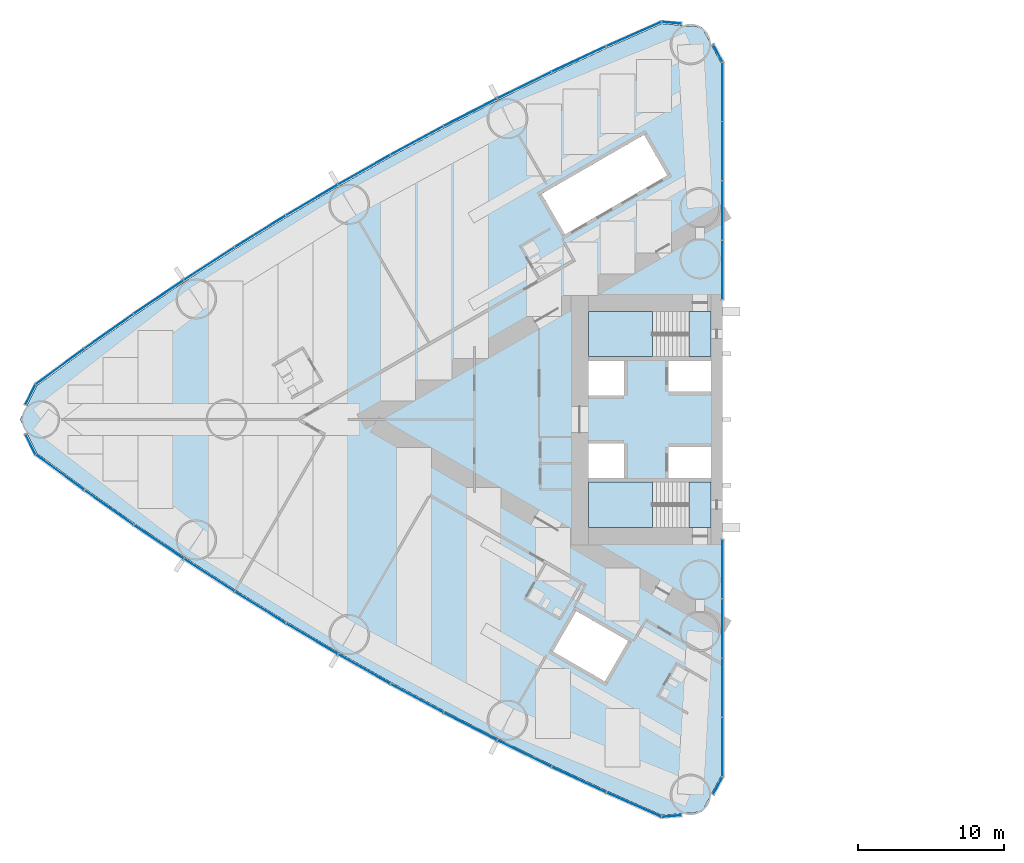
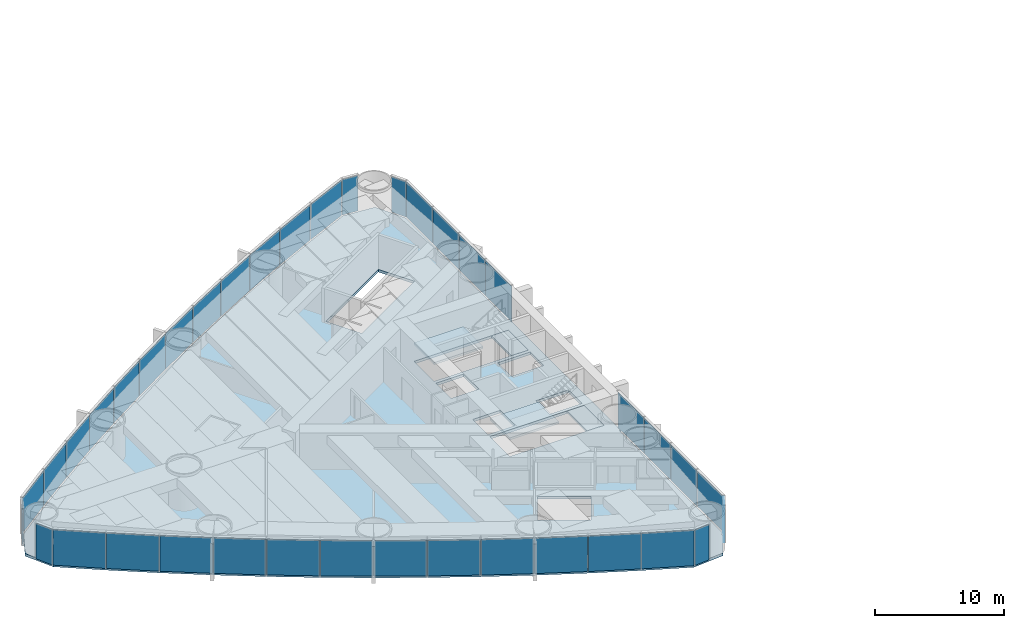
# One storey, part 9 of 18: 38 plates, 5 slabs, 6 elements without a shape of their own.
"""IFC4 building model written with IfcOpenShell, lengths in metres."""

from ifc_helpers import new_model, si_unit, direction, frame, origin, origin_2d, place, context, subcontext, project, spatial, polyline, rectangle, outline, extrude, material, layer, layer_set, type_object, element, aggregate, save


model = new_model("IFC4")

# Units and contexts
model_context = context("Model", 3, precision=1e-05, world=origin(), true_north=direction((0.0, 1.0)))
body_context = subcontext(model_context, "Body", "Model", "MODEL_VIEW")
ifc_project = project(units=[si_unit("LENGTHUNIT", "METRE"), si_unit("AREAUNIT", "SQUARE_METRE"), si_unit("VOLUMEUNIT", "CUBIC_METRE"), si_unit("PLANEANGLEUNIT", "RADIAN"), si_unit("MASSUNIT", "GRAM", prefix="KILO")], contexts=[model_context])

# Site, building, storey
site_placement = place(None, origin())
site = spatial("IfcSite", under=ifc_project, at=site_placement, CompositionType="ELEMENT")
building_placement = place(site_placement, origin())
building = spatial("IfcBuilding", under=site, at=building_placement, Name="Lancet Gate Hotel", CompositionType="ELEMENT")
storey_placement = place(building_placement, frame((0.0, 0.0, 53.0)))
storey = spatial("IfcBuildingStorey", under=building, at=storey_placement, Name="L13", CompositionType="ELEMENT", Elevation=53.0)

# Slab
ifc_material_1 = material(Name="Concrete C50/60", Category="concrete")
ifc_layer_1 = layer(ifc_material_1, 0.25)
ifc_layer_set_1 = layer_set([ifc_layer_1], Name="Floor slab 250")
slab_type_1 = type_object("IfcSlabType", Name="Floor slab 250", PredefinedType="FLOOR", material=ifc_layer_set_1)
slab_1_placement = place(storey_placement, frame((0.0, 0.0, -0.25)))
element("IfcSlab", 1, at=slab_1_placement, inside=storey, type_object=slab_type_1, Name="T1 L13 floor slab", PredefinedType="FLOOR", context=body_context, shape_type="SweptSolid", body=[
    extrude(outline(polyline([(-27.5, 8.60009765625), (-27.6201171875, 8.60009765625), (-27.6201171875, 24.4609375), (-28.926513671875, 26.8837890625), (-31.668212890625, 27.12353515625), (-35.424072265625, 25.458740234375), (-39.173583984375, 23.70849609375), (-42.887939453125, 21.884765625), (-46.56591796875, 19.98876953125), (-50.2060546875, 18.02099609375), (-53.806884765625, 15.982421875), (-57.366943359375, 13.87353515625), (-60.88525390625, 11.695068359375), (-64.360107421875, 9.448486328125), (-67.7900390625, 7.134033203125), (-71.17431640625, 4.752685546875), (-74.488525390625, 2.322021484375), (-75.65087890625, 0.0), (-74.488525390625, -2.322021484375), (-71.17431640625, -4.752685546875), (-67.7900390625, -7.134033203125), (-64.360107421875, -9.448486328125), (-60.88525390625, -11.695068359375), (-57.366943359375, -13.87353515625), (-53.806884765625, -15.982421875), (-50.2060546875, -18.02099609375), (-46.56591796875, -19.98876953125), (-42.887939453125, -21.884765625), (-39.173583984375, -23.70849609375), (-35.424072265625, -25.458740234375), (-31.668212890625, -27.12353515625), (-28.926513671875, -26.8837890625), (-27.6201171875, -24.4609375), (-27.6201171875, -8.60009765625), (-27.5, -8.60009765625), (-27.5, -8.199951171875), (-27.5, 8.199951171875), (-27.5, 8.60009765625)]), holes=[polyline([(-36.699951171875, 7.39990234375), (-36.699951171875, 4.300048828125), (-28.300048828125, 4.300048828125), (-28.300048828125, 7.39990234375), (-36.699951171875, 7.39990234375)]), polyline([(-28.300048828125, 4.0), (-31.199951171875, 4.0), (-31.199951171875, 1.89990234375), (-28.300048828125, 1.89990234375), (-28.300048828125, 4.0)]), polyline([(-34.25, 4.0), (-36.699951171875, 4.0), (-36.699951171875, 1.64990234375), (-34.25, 1.64990234375), (-34.25, 4.0)]), polyline([(-36.699951171875, -1.64990234375), (-36.699951171875, -4.0), (-34.25, -4.0), (-34.25, -1.64990234375), (-36.699951171875, -1.64990234375)]), polyline([(-28.300048828125, -1.89990234375), (-31.199951171875, -1.89990234375), (-31.199951171875, -4.0), (-28.300048828125, -4.0), (-28.300048828125, -1.89990234375)]), polyline([(-28.300048828125, -4.300048828125), (-36.699951171875, -4.300048828125), (-36.699951171875, -7.39990234375), (-28.300048828125, -7.39990234375), (-28.300048828125, -4.300048828125)]), polyline([(-31.2900390625, 16.73095703125), (-32.889892578125, 19.501953125), (-39.904052734375, 15.451904296875), (-38.303955078125, 12.680908203125), (-31.2900390625, 16.73095703125)]), polyline([(-33.97412109375, -15.180908203125), (-37.52490234375, -13.131103515625), (-39.125, -15.902099609375), (-35.573974609375, -17.951904296875), (-33.97412109375, -15.180908203125)])]), origin(), (0.0, 0.0, 1.0), 0.25),
])

# Stair, slabs
ifc_material_2 = material(Name="Exit stair 20 risers 1500")
stair_type = type_object("IfcStairType", Name="Exit stair 20 risers 1500", PredefinedType="HALF_TURN_STAIR", material=ifc_material_2)
stair_1_placement = place(storey_placement, origin())
stair_1 = element("IfcStair", 2, at=stair_1_placement, inside=storey, type_object=stair_type, Name="T1 stair 1 L13", PredefinedType="HALF_TURN_STAIR")
ifc_material_3 = material(Name="Concrete C40/50", Category="concrete")
ifc_layer_2 = layer(ifc_material_3, 0.199951171875)
ifc_layer_set_2 = layer_set([ifc_layer_2], Name="Stair landing 200")
slab_type_2 = type_object("IfcSlabType", Name="Stair landing 200", PredefinedType="LANDING", material=ifc_layer_set_2)
slab_2_placement = place(storey_placement, frame((0.0, 0.0, -0.199951171875)))
slab_2 = element("IfcSlab", 3, at=slab_2_placement, type_object=slab_type_2, Name="ST1 landing 1", PredefinedType="LANDING", context=body_context, shape_type="SweptSolid", body=[
    extrude(outline(polyline([(-28.300048828125, 7.39990234375), (-29.800048828125, 7.39990234375), (-29.800048828125, 4.300048828125), (-28.300048828125, 4.300048828125), (-28.300048828125, 7.39990234375)])), origin(), (0.0, 0.0, 1.0), 0.199951171875),
])
slab_3_placement = place(storey_placement, frame((0.0, 0.0, 1.550048828125)))
slab_3 = element("IfcSlab", 4, at=slab_3_placement, type_object=slab_type_2, Name="ST1 landing 2", PredefinedType="LANDING", context=body_context, shape_type="SweptSolid", body=[
    extrude(outline(polyline([(-32.320068359375, 7.39990234375), (-36.699951171875, 7.39990234375), (-36.699951171875, 4.300048828125), (-32.320068359375, 4.300048828125), (-32.320068359375, 7.39990234375)])), origin(), (0.0, 0.0, 1.0), 0.199951171875),
])
aggregate(stair_1, [slab_2, slab_3])

stair_2_placement = place(storey_placement, origin())
stair_2 = element("IfcStair", 5, at=stair_2_placement, inside=storey, type_object=stair_type, Name="T1 stair 2 L13", PredefinedType="HALF_TURN_STAIR")
slab_4_placement = place(storey_placement, frame((0.0, 0.0, -0.199951171875)))
slab_4 = element("IfcSlab", 6, at=slab_4_placement, type_object=slab_type_2, Name="ST2 landing 1", PredefinedType="LANDING", context=body_context, shape_type="SweptSolid", body=[
    extrude(outline(polyline([(-28.300048828125, -4.300048828125), (-29.800048828125, -4.300048828125), (-29.800048828125, -7.39990234375), (-28.300048828125, -7.39990234375), (-28.300048828125, -4.300048828125)])), origin(), (0.0, 0.0, 1.0), 0.199951171875),
])
slab_5_placement = place(storey_placement, frame((0.0, 0.0, 1.550048828125)))
slab_5 = element("IfcSlab", 7, at=slab_5_placement, type_object=slab_type_2, Name="ST2 landing 2", PredefinedType="LANDING", context=body_context, shape_type="SweptSolid", body=[
    extrude(outline(polyline([(-32.320068359375, -4.300048828125), (-36.699951171875, -4.300048828125), (-36.699951171875, -7.39990234375), (-32.320068359375, -7.39990234375), (-32.320068359375, -4.300048828125)])), origin(), (0.0, 0.0, 1.0), 0.199951171875),
])
aggregate(stair_2, [slab_4, slab_5])

# Curtain wall, plates
ifc_material_4 = material(Name="Aluminium curtain wall", Category="aluminium")
curtain_wall_type = type_object("IfcCurtainWallType", Name="Tower unitised curtain wall", PredefinedType="USERDEFINED", material=ifc_material_4)
curtain_wall_1_placement = place(storey_placement, origin())
curtain_wall_1 = element("IfcCurtainWall", 8, at=curtain_wall_1_placement, inside=storey, type_object=curtain_wall_type, Name="T1 L13 curtain wall 1", ObjectType="UNITISED CURTAIN WALL", PredefinedType="USERDEFINED")
ifc_material_5 = material(Name="Glass double glazed unit 8-16-6", Category="glass")
ifc_layer_3 = layer(ifc_material_5, 0.030029296875)
ifc_layer_set_3 = layer_set([ifc_layer_3], Name="Vision panel double glazed")
plate_type = type_object("IfcPlateType", Name="Vision panel double glazed", PredefinedType="CURTAIN_PANEL", material=ifc_layer_set_3)
plate_1_placement = place(storey_placement, frame((-27.5, 10.236328125, 0.0), z_axis=(0.0, 0.0, 1.0), x_axis=(0.0, 1.0, 0.0)))
plate_1 = element("IfcPlate", 9, at=plate_1_placement, type_object=plate_type, Name="T1 L13 curtain wall 1 panel 1", PredefinedType="CURTAIN_PANEL", context=body_context, shape_type="SweptSolid", body=[
    extrude(rectangle(XDim=4.0078125, YDim=0.030029296875, at=origin_2d()), origin(), (0.0, 0.0, 1.0), 3.35009765625),
])
plate_2_placement = place(storey_placement, frame((-27.5, 14.30908203125, 0.0), z_axis=(0.0, 0.0, 1.0), x_axis=(0.0, 1.0, 0.0)))
plate_2 = element("IfcPlate", 10, at=plate_2_placement, type_object=plate_type, Name="T1 L13 curtain wall 1 panel 2", PredefinedType="CURTAIN_PANEL", context=body_context, shape_type="SweptSolid", body=[
    extrude(rectangle(XDim=4.0078125, YDim=0.030029296875, at=origin_2d()), origin(), (0.0, 0.0, 1.0), 3.35009765625),
])
plate_3_placement = place(storey_placement, frame((-27.5, 18.382080078125, 0.0), z_axis=(0.0, 0.0, 1.0), x_axis=(0.0, 1.0, 0.0)))
plate_3 = element("IfcPlate", 11, at=plate_3_placement, type_object=plate_type, Name="T1 L13 curtain wall 1 panel 3", PredefinedType="CURTAIN_PANEL", context=body_context, shape_type="SweptSolid", body=[
    extrude(rectangle(XDim=4.0078125, YDim=0.030029296875, at=origin_2d()), origin(), (0.0, 0.0, 1.0), 3.35009765625),
])
plate_4_placement = place(storey_placement, frame((-27.5, 22.454833984375, 0.0), z_axis=(0.0, 0.0, 1.0), x_axis=(0.0, 1.0, 0.0)))
plate_4 = element("IfcPlate", 12, at=plate_4_placement, type_object=plate_type, Name="T1 L13 curtain wall 1 panel 4", PredefinedType="CURTAIN_PANEL", context=body_context, shape_type="SweptSolid", body=[
    extrude(rectangle(XDim=4.0078125, YDim=0.030029296875, at=origin_2d()), origin(), (0.0, 0.0, 1.0), 3.35009765625),
])
plate_5_placement = place(storey_placement, frame((-27.829345703125, 25.10205078125, 0.0), z_axis=(0.0, 0.0, 1.0), x_axis=(-0.474631040972, 0.880184852714, 0.0)))
plate_5 = element("IfcPlate", 13, at=plate_5_placement, type_object=plate_type, Name="T1 L13 curtain wall 1 panel 5", PredefinedType="CURTAIN_PANEL", context=body_context, shape_type="SweptSolid", body=[
    extrude(rectangle(XDim=1.322998046875, YDim=0.030029296875, at=origin_2d()), origin(), (0.0, 0.0, 1.0), 3.35009765625),
])
aggregate(curtain_wall_1, [plate_1, plate_2, plate_3, plate_4, plate_5])

curtain_wall_2_placement = place(storey_placement, origin())
curtain_wall_2 = element("IfcCurtainWall", 14, at=curtain_wall_2_placement, inside=storey, type_object=curtain_wall_type, Name="T1 L13 curtain wall 2", ObjectType="UNITISED CURTAIN WALL", PredefinedType="USERDEFINED")
plate_6_placement = place(storey_placement, frame((-30.99658203125, 27.185302734375, 0.0), z_axis=(0.0, 0.0, 1.0), x_axis=(-0.99620380374, 0.087051602022, 0.0)))
plate_6 = element("IfcPlate", 15, at=plate_6_placement, type_object=plate_type, Name="T1 L13 curtain wall 2 panel 1", PredefinedType="CURTAIN_PANEL", context=body_context, shape_type="SweptSolid", body=[
    extrude(rectangle(XDim=1.32421875, YDim=0.030029296875, at=origin_2d()), origin(), (0.0, 0.0, 1.0), 3.35009765625),
])
plate_7_placement = place(storey_placement, frame((-33.581298828125, 26.406982421875, 0.0), z_axis=(0.0, 0.0, 1.0), x_axis=(-0.914234183208, -0.405186201954, 0.0)))
plate_7 = element("IfcPlate", 16, at=plate_7_placement, type_object=plate_type, Name="T1 L13 curtain wall 2 panel 2", PredefinedType="CURTAIN_PANEL", context=body_context, shape_type="SweptSolid", body=[
    extrude(rectangle(XDim=4.0751953125, YDim=0.030029296875, at=origin_2d()), origin(), (0.0, 0.0, 1.0), 3.35009765625),
])
plate_8_placement = place(storey_placement, frame((-37.349609375, 24.6923828125, 0.0), z_axis=(0.0, 0.0, 1.0), x_axis=(-0.906117767284, -0.423025521467, 0.0)))
plate_8 = element("IfcPlate", 17, at=plate_8_placement, type_object=plate_type, Name="T1 L13 curtain wall 2 panel 3", PredefinedType="CURTAIN_PANEL", context=body_context, shape_type="SweptSolid", body=[
    extrude(rectangle(XDim=4.0751953125, YDim=0.030029296875, at=origin_2d()), origin(), (0.0, 0.0, 1.0), 3.35009765625),
])
plate_9_placement = place(storey_placement, frame((-41.083740234375, 22.904296875, 0.0), z_axis=(0.0, 0.0, 1.0), x_axis=(-0.897653295642, -0.440702349463, 0.0)))
plate_9 = element("IfcPlate", 18, at=plate_9_placement, type_object=plate_type, Name="T1 L13 curtain wall 2 panel 4", PredefinedType="CURTAIN_PANEL", context=body_context, shape_type="SweptSolid", body=[
    extrude(rectangle(XDim=4.0751953125, YDim=0.030029296875, at=origin_2d()), origin(), (0.0, 0.0, 1.0), 3.35009765625),
])
plate_10_placement = place(storey_placement, frame((-44.781982421875, 21.04345703125, 0.0), z_axis=(0.0, 0.0, 1.0), x_axis=(-0.888844019644, -0.458209895946, 0.0)))
plate_10 = element("IfcPlate", 19, at=plate_10_placement, type_object=plate_type, Name="T1 L13 curtain wall 2 panel 5", PredefinedType="CURTAIN_PANEL", context=body_context, shape_type="SweptSolid", body=[
    extrude(rectangle(XDim=4.0751953125, YDim=0.030029296875, at=origin_2d()), origin(), (0.0, 0.0, 1.0), 3.35009765625),
])
plate_11_placement = place(storey_placement, frame((-48.443115234375, 19.110595703125, 0.0), z_axis=(0.0, 0.0, 1.0), x_axis=(-0.87969332307, -0.475541435993, 0.0)))
plate_11 = element("IfcPlate", 20, at=plate_11_placement, type_object=plate_type, Name="T1 L13 curtain wall 2 panel 6", PredefinedType="CURTAIN_PANEL", context=body_context, shape_type="SweptSolid", body=[
    extrude(rectangle(XDim=4.0751953125, YDim=0.030029296875, at=origin_2d()), origin(), (0.0, 0.0, 1.0), 3.35009765625),
])
plate_12_placement = place(storey_placement, frame((-52.065673828125, 17.106201171875, 0.0), z_axis=(0.0, 0.0, 1.0), x_axis=(-0.870204720871, -0.492690312238, 0.0)))
plate_12 = element("IfcPlate", 21, at=plate_12_placement, type_object=plate_type, Name="T1 L13 curtain wall 2 panel 7", PredefinedType="CURTAIN_PANEL", context=body_context, shape_type="SweptSolid", body=[
    extrude(rectangle(XDim=4.0751953125, YDim=0.030029296875, at=origin_2d()), origin(), (0.0, 0.0, 1.0), 3.35009765625),
])
plate_13_placement = place(storey_placement, frame((-55.648193359375, 15.031005859375, 0.0), z_axis=(0.0, 0.0, 1.0), x_axis=(-0.860381857795, -0.509649937484, 0.0)))
plate_13 = element("IfcPlate", 22, at=plate_13_placement, type_object=plate_type, Name="T1 L13 curtain wall 2 panel 8", PredefinedType="CURTAIN_PANEL", context=body_context, shape_type="SweptSolid", body=[
    extrude(rectangle(XDim=4.0751953125, YDim=0.030029296875, at=origin_2d()), origin(), (0.0, 0.0, 1.0), 3.35009765625),
])
plate_14_placement = place(storey_placement, frame((-59.189208984375, 12.88623046875, 0.0), z_axis=(0.0, 0.0, 1.0), x_axis=(-0.850228506958, -0.52641379727, 0.0)))
plate_14 = element("IfcPlate", 23, at=plate_14_placement, type_object=plate_type, Name="T1 L13 curtain wall 2 panel 9", PredefinedType="CURTAIN_PANEL", context=body_context, shape_type="SweptSolid", body=[
    extrude(rectangle(XDim=4.0751953125, YDim=0.030029296875, at=origin_2d()), origin(), (0.0, 0.0, 1.0), 3.35009765625),
])
plate_15_placement = place(storey_placement, frame((-62.687744140625, 10.672607421875, 0.0), z_axis=(0.0, 0.0, 1.0), x_axis=(-0.839748568448, -0.54297545229, 0.0)))
plate_15 = element("IfcPlate", 24, at=plate_15_placement, type_object=plate_type, Name="T1 L13 curtain wall 2 panel 10", PredefinedType="CURTAIN_PANEL", context=body_context, shape_type="SweptSolid", body=[
    extrude(rectangle(XDim=4.0751953125, YDim=0.030029296875, at=origin_2d()), origin(), (0.0, 0.0, 1.0), 3.35009765625),
])
plate_16_placement = place(storey_placement, frame((-66.142333984375, 8.390625, 0.0), z_axis=(0.0, 0.0, 1.0), x_axis=(-0.828946067803, -0.559328540907, 0.0)))
plate_16 = element("IfcPlate", 25, at=plate_16_placement, type_object=plate_type, Name="T1 L13 curtain wall 2 panel 11", PredefinedType="CURTAIN_PANEL", context=body_context, shape_type="SweptSolid", body=[
    extrude(rectangle(XDim=4.0751953125, YDim=0.030029296875, at=origin_2d()), origin(), (0.0, 0.0, 1.0), 3.35009765625),
])
plate_17_placement = place(storey_placement, frame((-69.55126953125, 6.04150390625, 0.0), z_axis=(0.0, 0.0, 1.0), x_axis=(-0.817825154435, -0.575466781642, 0.0)))
plate_17 = element("IfcPlate", 26, at=plate_17_placement, type_object=plate_type, Name="T1 L13 curtain wall 2 panel 12", PredefinedType="CURTAIN_PANEL", context=body_context, shape_type="SweptSolid", body=[
    extrude(rectangle(XDim=4.0751953125, YDim=0.030029296875, at=origin_2d()), origin(), (0.0, 0.0, 1.0), 3.35009765625),
])
plate_18_placement = place(storey_placement, frame((-72.91357421875, 3.6259765625, 0.0), z_axis=(0.0, 0.0, 1.0), x_axis=(-0.80639010009, -0.591383975499, 0.0)))
plate_18 = element("IfcPlate", 27, at=plate_18_placement, type_object=plate_type, Name="T1 L13 curtain wall 2 panel 13", PredefinedType="CURTAIN_PANEL", context=body_context, shape_type="SweptSolid", body=[
    extrude(rectangle(XDim=4.0751953125, YDim=0.030029296875, at=origin_2d()), origin(), (0.0, 0.0, 1.0), 3.35009765625),
])
plate_19_placement = place(storey_placement, frame((-74.93505859375, 1.6982421875, 0.0), z_axis=(0.0, 0.0, 1.0), x_axis=(-0.447628324726, -0.89421970617, 0.0)))
plate_19 = element("IfcPlate", 28, at=plate_19_placement, type_object=plate_type, Name="T1 L13 curtain wall 2 panel 14", PredefinedType="CURTAIN_PANEL", context=body_context, shape_type="SweptSolid", body=[
    extrude(rectangle(XDim=1.50830078125, YDim=0.030029296875, at=origin_2d()), origin(), (0.0, 0.0, 1.0), 3.35009765625),
])
aggregate(curtain_wall_2, [plate_6, plate_7, plate_8, plate_9, plate_10, plate_11, plate_12, plate_13, plate_14, plate_15, plate_16, plate_17, plate_18, plate_19])

curtain_wall_3_placement = place(storey_placement, origin())
curtain_wall_3 = element("IfcCurtainWall", 29, at=curtain_wall_3_placement, inside=storey, type_object=curtain_wall_type, Name="T1 L13 curtain wall 3", ObjectType="UNITISED CURTAIN WALL", PredefinedType="USERDEFINED")
plate_20_placement = place(storey_placement, frame((-74.93505859375, -1.6982421875, 0.0), z_axis=(0.0, 0.0, 1.0), x_axis=(0.447628324726, -0.89421970617, 0.0)))
plate_20 = element("IfcPlate", 30, at=plate_20_placement, type_object=plate_type, Name="T1 L13 curtain wall 3 panel 1", PredefinedType="CURTAIN_PANEL", context=body_context, shape_type="SweptSolid", body=[
    extrude(rectangle(XDim=1.50830078125, YDim=0.030029296875, at=origin_2d()), origin(), (0.0, 0.0, 1.0), 3.35009765625),
])
plate_21_placement = place(storey_placement, frame((-72.91357421875, -3.6259765625, 0.0), z_axis=(0.0, 0.0, 1.0), x_axis=(0.80639010009, -0.591383975499, 0.0)))
plate_21 = element("IfcPlate", 31, at=plate_21_placement, type_object=plate_type, Name="T1 L13 curtain wall 3 panel 2", PredefinedType="CURTAIN_PANEL", context=body_context, shape_type="SweptSolid", body=[
    extrude(rectangle(XDim=4.0751953125, YDim=0.030029296875, at=origin_2d()), origin(), (0.0, 0.0, 1.0), 3.35009765625),
])
plate_22_placement = place(storey_placement, frame((-69.55126953125, -6.04150390625, 0.0), z_axis=(0.0, 0.0, 1.0), x_axis=(0.817825154435, -0.575466781642, 0.0)))
plate_22 = element("IfcPlate", 32, at=plate_22_placement, type_object=plate_type, Name="T1 L13 curtain wall 3 panel 3", PredefinedType="CURTAIN_PANEL", context=body_context, shape_type="SweptSolid", body=[
    extrude(rectangle(XDim=4.0751953125, YDim=0.030029296875, at=origin_2d()), origin(), (0.0, 0.0, 1.0), 3.35009765625),
])
plate_23_placement = place(storey_placement, frame((-66.142333984375, -8.390625, 0.0), z_axis=(0.0, 0.0, 1.0), x_axis=(0.828946067803, -0.559328540907, 0.0)))
plate_23 = element("IfcPlate", 33, at=plate_23_placement, type_object=plate_type, Name="T1 L13 curtain wall 3 panel 4", PredefinedType="CURTAIN_PANEL", context=body_context, shape_type="SweptSolid", body=[
    extrude(rectangle(XDim=4.0751953125, YDim=0.030029296875, at=origin_2d()), origin(), (0.0, 0.0, 1.0), 3.35009765625),
])
plate_24_placement = place(storey_placement, frame((-62.687744140625, -10.672607421875, 0.0), z_axis=(0.0, 0.0, 1.0), x_axis=(0.839748568448, -0.54297545229, 0.0)))
plate_24 = element("IfcPlate", 34, at=plate_24_placement, type_object=plate_type, Name="T1 L13 curtain wall 3 panel 5", PredefinedType="CURTAIN_PANEL", context=body_context, shape_type="SweptSolid", body=[
    extrude(rectangle(XDim=4.0751953125, YDim=0.030029296875, at=origin_2d()), origin(), (0.0, 0.0, 1.0), 3.35009765625),
])
plate_25_placement = place(storey_placement, frame((-59.189208984375, -12.88623046875, 0.0), z_axis=(0.0, 0.0, 1.0), x_axis=(0.850228506958, -0.52641379727, 0.0)))
plate_25 = element("IfcPlate", 35, at=plate_25_placement, type_object=plate_type, Name="T1 L13 curtain wall 3 panel 6", PredefinedType="CURTAIN_PANEL", context=body_context, shape_type="SweptSolid", body=[
    extrude(rectangle(XDim=4.0751953125, YDim=0.030029296875, at=origin_2d()), origin(), (0.0, 0.0, 1.0), 3.35009765625),
])
plate_26_placement = place(storey_placement, frame((-55.648193359375, -15.031005859375, 0.0), z_axis=(0.0, 0.0, 1.0), x_axis=(0.860381857795, -0.509649937484, 0.0)))
plate_26 = element("IfcPlate", 36, at=plate_26_placement, type_object=plate_type, Name="T1 L13 curtain wall 3 panel 7", PredefinedType="CURTAIN_PANEL", context=body_context, shape_type="SweptSolid", body=[
    extrude(rectangle(XDim=4.0751953125, YDim=0.030029296875, at=origin_2d()), origin(), (0.0, 0.0, 1.0), 3.35009765625),
])
plate_27_placement = place(storey_placement, frame((-52.065673828125, -17.106201171875, 0.0), z_axis=(0.0, 0.0, 1.0), x_axis=(0.870204720871, -0.492690312238, 0.0)))
plate_27 = element("IfcPlate", 37, at=plate_27_placement, type_object=plate_type, Name="T1 L13 curtain wall 3 panel 8", PredefinedType="CURTAIN_PANEL", context=body_context, shape_type="SweptSolid", body=[
    extrude(rectangle(XDim=4.0751953125, YDim=0.030029296875, at=origin_2d()), origin(), (0.0, 0.0, 1.0), 3.35009765625),
])
plate_28_placement = place(storey_placement, frame((-48.443115234375, -19.110595703125, 0.0), z_axis=(0.0, 0.0, 1.0), x_axis=(0.87969332307, -0.475541435993, 0.0)))
plate_28 = element("IfcPlate", 38, at=plate_28_placement, type_object=plate_type, Name="T1 L13 curtain wall 3 panel 9", PredefinedType="CURTAIN_PANEL", context=body_context, shape_type="SweptSolid", body=[
    extrude(rectangle(XDim=4.0751953125, YDim=0.030029296875, at=origin_2d()), origin(), (0.0, 0.0, 1.0), 3.35009765625),
])
plate_29_placement = place(storey_placement, frame((-44.781982421875, -21.04345703125, 0.0), z_axis=(0.0, 0.0, 1.0), x_axis=(0.888844019644, -0.458209895946, 0.0)))
plate_29 = element("IfcPlate", 39, at=plate_29_placement, type_object=plate_type, Name="T1 L13 curtain wall 3 panel 10", PredefinedType="CURTAIN_PANEL", context=body_context, shape_type="SweptSolid", body=[
    extrude(rectangle(XDim=4.0751953125, YDim=0.030029296875, at=origin_2d()), origin(), (0.0, 0.0, 1.0), 3.35009765625),
])
plate_30_placement = place(storey_placement, frame((-41.083740234375, -22.904296875, 0.0), z_axis=(0.0, 0.0, 1.0), x_axis=(0.897653295642, -0.440702349463, 0.0)))
plate_30 = element("IfcPlate", 40, at=plate_30_placement, type_object=plate_type, Name="T1 L13 curtain wall 3 panel 11", PredefinedType="CURTAIN_PANEL", context=body_context, shape_type="SweptSolid", body=[
    extrude(rectangle(XDim=4.0751953125, YDim=0.030029296875, at=origin_2d()), origin(), (0.0, 0.0, 1.0), 3.35009765625),
])
plate_31_placement = place(storey_placement, frame((-37.349609375, -24.6923828125, 0.0), z_axis=(0.0, 0.0, 1.0), x_axis=(0.906117767284, -0.423025521467, 0.0)))
plate_31 = element("IfcPlate", 41, at=plate_31_placement, type_object=plate_type, Name="T1 L13 curtain wall 3 panel 12", PredefinedType="CURTAIN_PANEL", context=body_context, shape_type="SweptSolid", body=[
    extrude(rectangle(XDim=4.0751953125, YDim=0.030029296875, at=origin_2d()), origin(), (0.0, 0.0, 1.0), 3.35009765625),
])
plate_32_placement = place(storey_placement, frame((-33.581298828125, -26.406982421875, 0.0), z_axis=(0.0, 0.0, 1.0), x_axis=(0.914234183208, -0.405186201954, 0.0)))
plate_32 = element("IfcPlate", 42, at=plate_32_placement, type_object=plate_type, Name="T1 L13 curtain wall 3 panel 13", PredefinedType="CURTAIN_PANEL", context=body_context, shape_type="SweptSolid", body=[
    extrude(rectangle(XDim=4.0751953125, YDim=0.030029296875, at=origin_2d()), origin(), (0.0, 0.0, 1.0), 3.35009765625),
])
plate_33_placement = place(storey_placement, frame((-30.99658203125, -27.185302734375, 0.0), z_axis=(0.0, 0.0, 1.0), x_axis=(0.99620380374, 0.087051602022, 0.0)))
plate_33 = element("IfcPlate", 43, at=plate_33_placement, type_object=plate_type, Name="T1 L13 curtain wall 3 panel 14", PredefinedType="CURTAIN_PANEL", context=body_context, shape_type="SweptSolid", body=[
    extrude(rectangle(XDim=1.32421875, YDim=0.030029296875, at=origin_2d()), origin(), (0.0, 0.0, 1.0), 3.35009765625),
])
aggregate(curtain_wall_3, [plate_20, plate_21, plate_22, plate_23, plate_24, plate_25, plate_26, plate_27, plate_28, plate_29, plate_30, plate_31, plate_32, plate_33])

curtain_wall_4_placement = place(storey_placement, origin())
curtain_wall_4 = element("IfcCurtainWall", 44, at=curtain_wall_4_placement, inside=storey, type_object=curtain_wall_type, Name="T1 L13 curtain wall 4", ObjectType="UNITISED CURTAIN WALL", PredefinedType="USERDEFINED")
plate_34_placement = place(storey_placement, frame((-27.829345703125, -25.10205078125, 0.0), z_axis=(0.0, 0.0, 1.0), x_axis=(0.474631040972, 0.880184852714, 0.0)))
plate_34 = element("IfcPlate", 45, at=plate_34_placement, type_object=plate_type, Name="T1 L13 curtain wall 4 panel 1", PredefinedType="CURTAIN_PANEL", context=body_context, shape_type="SweptSolid", body=[
    extrude(rectangle(XDim=1.322998046875, YDim=0.030029296875, at=origin_2d()), origin(), (0.0, 0.0, 1.0), 3.35009765625),
])
plate_35_placement = place(storey_placement, frame((-27.5, -22.454833984375, 0.0), z_axis=(0.0, 0.0, 1.0), x_axis=(0.0, 1.0, 0.0)))
plate_35 = element("IfcPlate", 46, at=plate_35_placement, type_object=plate_type, Name="T1 L13 curtain wall 4 panel 2", PredefinedType="CURTAIN_PANEL", context=body_context, shape_type="SweptSolid", body=[
    extrude(rectangle(XDim=4.0078125, YDim=0.030029296875, at=origin_2d()), origin(), (0.0, 0.0, 1.0), 3.35009765625),
])
plate_36_placement = place(storey_placement, frame((-27.5, -18.382080078125, 0.0), z_axis=(0.0, 0.0, 1.0), x_axis=(0.0, 1.0, 0.0)))
plate_36 = element("IfcPlate", 47, at=plate_36_placement, type_object=plate_type, Name="T1 L13 curtain wall 4 panel 3", PredefinedType="CURTAIN_PANEL", context=body_context, shape_type="SweptSolid", body=[
    extrude(rectangle(XDim=4.0078125, YDim=0.030029296875, at=origin_2d()), origin(), (0.0, 0.0, 1.0), 3.35009765625),
])
plate_37_placement = place(storey_placement, frame((-27.5, -14.30908203125, 0.0), z_axis=(0.0, 0.0, 1.0), x_axis=(0.0, 1.0, 0.0)))
plate_37 = element("IfcPlate", 48, at=plate_37_placement, type_object=plate_type, Name="T1 L13 curtain wall 4 panel 4", PredefinedType="CURTAIN_PANEL", context=body_context, shape_type="SweptSolid", body=[
    extrude(rectangle(XDim=4.0078125, YDim=0.030029296875, at=origin_2d()), origin(), (0.0, 0.0, 1.0), 3.35009765625),
])
plate_38_placement = place(storey_placement, frame((-27.5, -10.236328125, 0.0), z_axis=(0.0, 0.0, 1.0), x_axis=(0.0, 1.0, 0.0)))
plate_38 = element("IfcPlate", 49, at=plate_38_placement, type_object=plate_type, Name="T1 L13 curtain wall 4 panel 5", PredefinedType="CURTAIN_PANEL", context=body_context, shape_type="SweptSolid", body=[
    extrude(rectangle(XDim=4.0078125, YDim=0.030029296875, at=origin_2d()), origin(), (0.0, 0.0, 1.0), 3.35009765625),
])
aggregate(curtain_wall_4, [plate_34, plate_35, plate_36, plate_37, plate_38])

save(model, "model.ifc")
